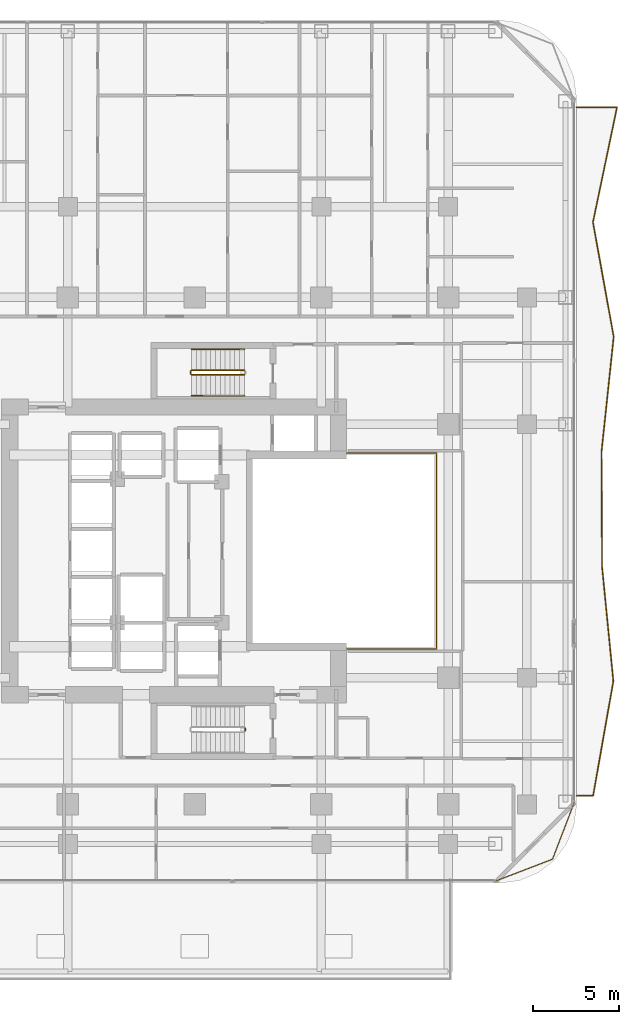
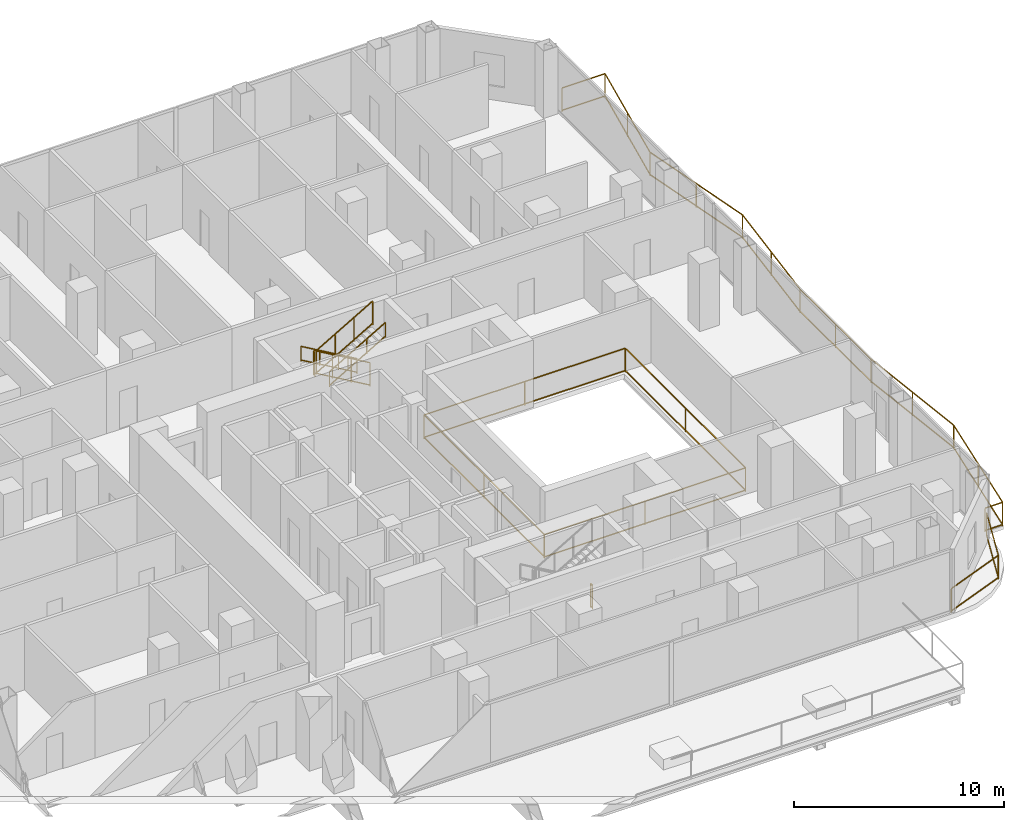
# One storey, part 27 of 29: 9 railings.
"""IFC4 building model written with IfcOpenShell, lengths in metres."""

from ifc_helpers import new_model, si_unit, direction, frame, origin, origin_2d, place, context, subcontext, project, spatial, rectangle, extrude, material, type_object, element, save


model = new_model("IFC4")

# Units and contexts
model_context = context("Model", 3, precision=1e-05, world=origin(), true_north=direction((0.0, 1.0)))
body_context = subcontext(model_context, "Body", "Model", "MODEL_VIEW")
ifc_project = project(units=[si_unit("LENGTHUNIT", "METRE"), si_unit("AREAUNIT", "SQUARE_METRE"), si_unit("VOLUMEUNIT", "CUBIC_METRE"), si_unit("PLANEANGLEUNIT", "RADIAN"), si_unit("MASSUNIT", "GRAM", prefix="KILO")], contexts=[model_context])

# Site, building, storey
site_placement = place(None, origin())
site = spatial("IfcSite", under=ifc_project, at=site_placement, CompositionType="ELEMENT")
building_placement = place(site_placement, origin())
building = spatial("IfcBuilding", under=site, at=building_placement, Name="Khorvyn Point Tower", CompositionType="ELEMENT")
storey_placement = place(building_placement, frame((0.0, 0.0, 85.199951171875)))
storey = spatial("IfcBuildingStorey", under=building, at=storey_placement, Name="L21", CompositionType="ELEMENT", Elevation=85.199951171875)

# Railings
ifc_material_1 = material(Name="Stainless steel 1.4401 and laminated glass", Category="steel")
railing_type_1 = type_object("IfcRailingType", Name="Crystal Atrium Smoke-Rated Perimeter Guardrail 1400", PredefinedType="GUARDRAIL", material=ifc_material_1)
railing_1_placement = place(storey_placement, frame((3.080078125, -5.719970703125, 0.0)))
element("IfcRailing", 1, at=railing_1_placement, inside=storey, type_object=railing_type_1, Name="L21 Crystal Atrium Perimeter Guardrail", PredefinedType="GUARDRAIL", context=body_context, shape_type="SweptSolid", body=[
    extrude(rectangle(XDim=0.048095703125, YDim=0.048095703125, at=origin_2d()), frame((0.0, 0.0, 1.3759765625), z_axis=(1.0, 0.0, 0.0), x_axis=(0.0, 1.0, 0.0)), (0.0, 0.0, 1.0), 11.0400390625),
    extrude(rectangle(XDim=0.048095703125, YDim=0.048095703125, at=origin_2d()), frame((0.0, 0.0, 0.080078125), z_axis=(1.0, 0.0, 0.0), x_axis=(0.0, 1.0, 0.0)), (0.0, 0.0, 1.0), 11.0400390625),
    extrude(rectangle(XDim=0.048095703125, YDim=0.048095703125, at=origin_2d()), frame((11.0400390625, 0.0, 1.3759765625), z_axis=(0.0, 1.0, 0.0), x_axis=(-1.0, 0.0, 0.0)), (0.0, 0.0, 1.0), 11.43994140625),
    extrude(rectangle(XDim=0.048095703125, YDim=0.048095703125, at=origin_2d()), frame((11.0400390625, 0.0, 0.080078125), z_axis=(0.0, 1.0, 0.0), x_axis=(-1.0, 0.0, 0.0)), (0.0, 0.0, 1.0), 11.43994140625),
    extrude(rectangle(XDim=0.048095703125, YDim=0.048095703125, at=origin_2d()), frame((11.0400390625, 11.43994140625, 1.3759765625), z_axis=(-1.0, 0.0, 0.0), x_axis=(0.0, -1.0, 0.0)), (0.0, 0.0, 1.0), 11.0400390625),
    extrude(rectangle(XDim=0.048095703125, YDim=0.048095703125, at=origin_2d()), frame((11.0400390625, 11.43994140625, 0.080078125), z_axis=(-1.0, 0.0, 0.0), x_axis=(0.0, -1.0, 0.0)), (0.0, 0.0, 1.0), 11.0400390625),
    extrude(rectangle(XDim=0.048095703125, YDim=0.048095703125, at=origin_2d()), frame((0.0, 11.43994140625, 1.3759765625), z_axis=(0.0, -1.0, 0.0), x_axis=(1.0, 0.0, 0.0)), (0.0, 0.0, 1.0), 11.409912109375),
    extrude(rectangle(XDim=0.048095703125, YDim=0.048095703125, at=origin_2d()), frame((0.0, 11.43994140625, 0.080078125), z_axis=(0.0, -1.0, 0.0), x_axis=(1.0, 0.0, 0.0)), (0.0, 0.0, 1.0), 11.409912109375),
    extrude(rectangle(XDim=0.0419921875, YDim=0.0419921875, at=origin_2d()), origin(), (0.0, 0.0, 1.0), 1.351806640625),
    extrude(rectangle(XDim=0.0419921875, YDim=0.0419921875, at=origin_2d()), frame((5.52001953125, 0.0, 0.0)), (0.0, 0.0, 1.0), 1.351806640625),
    extrude(rectangle(XDim=0.0419921875, YDim=0.0419921875, at=origin_2d()), frame((11.0400390625, 0.0, 0.0)), (0.0, 0.0, 1.0), 1.351806640625),
    extrude(rectangle(XDim=0.0419921875, YDim=0.0419921875, at=origin_2d()), frame((11.0400390625, 5.719970703125, 0.0)), (0.0, 0.0, 1.0), 1.351806640625),
    extrude(rectangle(XDim=0.0419921875, YDim=0.0419921875, at=origin_2d()), frame((11.0400390625, 11.43994140625, 0.0)), (0.0, 0.0, 1.0), 1.351806640625),
    extrude(rectangle(XDim=0.0419921875, YDim=0.0419921875, at=origin_2d()), frame((5.52001953125, 11.43994140625, 0.0)), (0.0, 0.0, 1.0), 1.351806640625),
    extrude(rectangle(XDim=0.0419921875, YDim=0.0419921875, at=origin_2d()), frame((0.0, 11.43994140625, 0.0)), (0.0, 0.0, 1.0), 1.351806640625),
    extrude(rectangle(XDim=0.0419921875, YDim=0.0419921875, at=origin_2d()), frame((0.0, 5.73486328125, 0.0)), (0.0, 0.0, 1.0), 1.351806640625),
    extrude(rectangle(XDim=0.0419921875, YDim=0.0419921875, at=origin_2d()), frame((0.0, 0.030029296875, 0.0)), (0.0, 0.0, 1.0), 1.351806640625),
])
ifc_material_2 = material(Name="Anodised aluminium 6063-T6 and laminated safety glass", Category="aluminium")
railing_type_2 = type_object("IfcRailingType", Name="Laminated Glass and Aluminium Balcony Guardrail 1400", PredefinedType="BALUSTRADE", material=ifc_material_2)
railing_2_placement = place(storey_placement, frame((17.57080078125, -19.27392578125, 0.0)))
element("IfcRailing", 2, at=railing_2_placement, inside=storey, type_object=railing_type_2, Name="L21 Rounded Corner Edge Guardrail SE", PredefinedType="BALUSTRADE", context=body_context, shape_type="SweptSolid", body=[
    extrude(rectangle(XDim=0.048095703125, YDim=0.048095703125, at=origin_2d()), frame((0.0, 0.0, 1.3759765625), z_axis=(0.933583807283, 0.358359142172, 0.0), x_axis=(-0.358359142172, 0.933583807283, 0.0)), (0.0, 0.0, 1.0), 3.56298828125),
    extrude(rectangle(XDim=0.048095703125, YDim=0.048095703125, at=origin_2d()), frame((0.0, 0.0, 0.080078125), z_axis=(0.933583807283, 0.358359142172, 0.0), x_axis=(-0.358359142172, 0.933583807283, 0.0)), (0.0, 0.0, 1.0), 3.56298828125),
    extrude(rectangle(XDim=0.048095703125, YDim=0.048095703125, at=origin_2d()), frame((3.326416015625, 1.27685546875, 1.3759765625), z_axis=(0.358382067435, 0.933575007025, 0.0), x_axis=(-0.933575007025, 0.358382067435, 0.0)), (0.0, 0.0, 1.0), 3.562744140625),
    extrude(rectangle(XDim=0.048095703125, YDim=0.048095703125, at=origin_2d()), frame((3.326416015625, 1.27685546875, 0.080078125), z_axis=(0.358382067435, 0.933575007025, 0.0), x_axis=(-0.933575007025, 0.358382067435, 0.0)), (0.0, 0.0, 1.0), 3.562744140625),
    extrude(rectangle(XDim=0.0419921875, YDim=0.0419921875, at=origin_2d()), origin(), (0.0, 0.0, 1.0), 1.351806640625),
    extrude(rectangle(XDim=0.0419921875, YDim=0.0419921875, at=origin_2d()), frame((3.326416015625, 1.27685546875, 0.0)), (0.0, 0.0, 1.0), 1.351806640625),
    extrude(rectangle(XDim=0.0419921875, YDim=0.0419921875, at=origin_2d()), frame((4.603271484375, 4.60302734375, 0.0)), (0.0, 0.0, 1.0), 1.351806640625),
])
railing_3_placement = place(storey_placement, frame((22.300048828125, -14.300048828125, 0.0)))
element("IfcRailing", 3, at=railing_3_placement, inside=storey, type_object=railing_type_2, Name="L21 East Balcony Guardrail", PredefinedType="BALUSTRADE", context=body_context, shape_type="SweptSolid", body=[
    extrude(rectangle(XDim=0.048095703125, YDim=0.048095703125, at=origin_2d()), frame((0.0, 0.0, 1.3759765625), z_axis=(1.0, 0.0, 0.0), x_axis=(0.0, 1.0, 0.0)), (0.0, 0.0, 1.0), 0.968017578125),
    extrude(rectangle(XDim=0.048095703125, YDim=0.048095703125, at=origin_2d()), frame((0.0, 0.0, 0.080078125), z_axis=(1.0, 0.0, 0.0), x_axis=(0.0, 1.0, 0.0)), (0.0, 0.0, 1.0), 0.968017578125),
    extrude(rectangle(XDim=0.048095703125, YDim=0.048095703125, at=origin_2d()), frame((0.968017578125, 0.0, 1.3759765625), z_axis=(0.173685022658, 0.984801255536, 0.0), x_axis=(-0.984801255536, 0.173685022658, 0.0)), (0.0, 0.0, 1.0), 6.803466796875),
    extrude(rectangle(XDim=0.048095703125, YDim=0.048095703125, at=origin_2d()), frame((0.968017578125, 0.0, 0.080078125), z_axis=(0.173685022658, 0.984801255536, 0.0), x_axis=(-0.984801255536, 0.173685022658, 0.0)), (0.0, 0.0, 1.0), 6.803466796875),
    extrude(rectangle(XDim=0.048095703125, YDim=0.048095703125, at=origin_2d()), frame((2.149658203125, 6.699951171875, 1.3759765625), z_axis=(-0.098232686566, 0.995163473651, 0.0), x_axis=(-0.995163473651, -0.098232686566, 0.0)), (0.0, 0.0, 1.0), 6.732666015625),
    extrude(rectangle(XDim=0.048095703125, YDim=0.048095703125, at=origin_2d()), frame((2.149658203125, 6.699951171875, 0.080078125), z_axis=(-0.098232686566, 0.995163473651, 0.0), x_axis=(-0.995163473651, -0.098232686566, 0.0)), (0.0, 0.0, 1.0), 6.732666015625),
    extrude(rectangle(XDim=0.048095703125, YDim=0.048095703125, at=origin_2d()), frame((1.48828125, 13.400146484375, 1.3759765625), z_axis=(-0.004117590718, 0.999991522687, 0.0), x_axis=(-0.999991522687, -0.004117590718, 0.0)), (0.0, 0.0, 1.0), 6.699951171875),
    extrude(rectangle(XDim=0.048095703125, YDim=0.048095703125, at=origin_2d()), frame((1.48828125, 13.400146484375, 0.080078125), z_axis=(-0.004117590718, 0.999991522687, 0.0), x_axis=(-0.999991522687, -0.004117590718, 0.0)), (0.0, 0.0, 1.0), 6.699951171875),
    extrude(rectangle(XDim=0.048095703125, YDim=0.048095703125, at=origin_2d()), frame((1.460693359375, 20.10009765625, 1.3759765625), z_axis=(0.105303466428, 0.994440133924, 0.0), x_axis=(-0.994440133924, 0.105303466428, 0.0)), (0.0, 0.0, 1.0), 6.7373046875),
    extrude(rectangle(XDim=0.048095703125, YDim=0.048095703125, at=origin_2d()), frame((1.460693359375, 20.10009765625, 0.080078125), z_axis=(0.105303466428, 0.994440133924, 0.0), x_axis=(-0.994440133924, 0.105303466428, 0.0)), (0.0, 0.0, 1.0), 6.7373046875),
    extrude(rectangle(XDim=0.048095703125, YDim=0.048095703125, at=origin_2d()), frame((2.170166015625, 26.800048828125, 1.3759765625), z_axis=(-0.177787191448, 0.984068958233, 0.0), x_axis=(-0.984068958233, -0.177787191448, 0.0)), (0.0, 0.0, 1.0), 6.808349609375),
    extrude(rectangle(XDim=0.048095703125, YDim=0.048095703125, at=origin_2d()), frame((2.170166015625, 26.800048828125, 0.080078125), z_axis=(-0.177787191448, 0.984068958233, 0.0), x_axis=(-0.984068958233, -0.177787191448, 0.0)), (0.0, 0.0, 1.0), 6.808349609375),
    extrude(rectangle(XDim=0.048095703125, YDim=0.048095703125, at=origin_2d()), frame((0.959716796875, 33.5, 1.3759765625), z_axis=(0.204935464509, 0.978775487733, 0.0), x_axis=(-0.978775487733, 0.204935464509, 0.0)), (0.0, 0.0, 1.0), 6.84521484375),
    extrude(rectangle(XDim=0.048095703125, YDim=0.048095703125, at=origin_2d()), frame((0.959716796875, 33.5, 0.080078125), z_axis=(0.204935464509, 0.978775487733, 0.0), x_axis=(-0.978775487733, 0.204935464509, 0.0)), (0.0, 0.0, 1.0), 6.84521484375),
    extrude(rectangle(XDim=0.048095703125, YDim=0.048095703125, at=origin_2d()), frame((2.362548828125, 40.199951171875, 1.3759765625), z_axis=(-1.0, 0.0, 0.0), x_axis=(0.0, -1.0, 0.0)), (0.0, 0.0, 1.0), 2.362548828125),
    extrude(rectangle(XDim=0.048095703125, YDim=0.048095703125, at=origin_2d()), frame((2.362548828125, 40.199951171875, 0.080078125), z_axis=(-1.0, 0.0, 0.0), x_axis=(0.0, -1.0, 0.0)), (0.0, 0.0, 1.0), 2.362548828125),
    extrude(rectangle(XDim=0.0419921875, YDim=0.0419921875, at=origin_2d()), origin(), (0.0, 0.0, 1.0), 1.351806640625),
    extrude(rectangle(XDim=0.0419921875, YDim=0.0419921875, at=origin_2d()), frame((0.968017578125, 0.0, 0.0)), (0.0, 0.0, 1.0), 1.351806640625),
    extrude(rectangle(XDim=0.0419921875, YDim=0.0419921875, at=origin_2d()), frame((1.558837890625, 3.35009765625, 0.0)), (0.0, 0.0, 1.0), 1.351806640625),
    extrude(rectangle(XDim=0.0419921875, YDim=0.0419921875, at=origin_2d()), frame((2.149658203125, 6.699951171875, 0.0)), (0.0, 0.0, 1.0), 1.351806640625),
    extrude(rectangle(XDim=0.0419921875, YDim=0.0419921875, at=origin_2d()), frame((1.81884765625, 10.050048828125, 0.0)), (0.0, 0.0, 1.0), 1.351806640625),
    extrude(rectangle(XDim=0.0419921875, YDim=0.0419921875, at=origin_2d()), frame((1.48828125, 13.400146484375, 0.0)), (0.0, 0.0, 1.0), 1.351806640625),
    extrude(rectangle(XDim=0.0419921875, YDim=0.0419921875, at=origin_2d()), frame((1.474609375, 16.75, 0.0)), (0.0, 0.0, 1.0), 1.351806640625),
    extrude(rectangle(XDim=0.0419921875, YDim=0.0419921875, at=origin_2d()), frame((1.460693359375, 20.10009765625, 0.0)), (0.0, 0.0, 1.0), 1.351806640625),
    extrude(rectangle(XDim=0.0419921875, YDim=0.0419921875, at=origin_2d()), frame((1.8154296875, 23.4501953125, 0.0)), (0.0, 0.0, 1.0), 1.351806640625),
    extrude(rectangle(XDim=0.0419921875, YDim=0.0419921875, at=origin_2d()), frame((2.170166015625, 26.800048828125, 0.0)), (0.0, 0.0, 1.0), 1.351806640625),
    extrude(rectangle(XDim=0.0419921875, YDim=0.0419921875, at=origin_2d()), frame((1.56494140625, 30.14990234375, 0.0)), (0.0, 0.0, 1.0), 1.351806640625),
    extrude(rectangle(XDim=0.0419921875, YDim=0.0419921875, at=origin_2d()), frame((0.959716796875, 33.5, 0.0)), (0.0, 0.0, 1.0), 1.351806640625),
    extrude(rectangle(XDim=0.0419921875, YDim=0.0419921875, at=origin_2d()), frame((1.6611328125, 36.85009765625, 0.0)), (0.0, 0.0, 1.0), 1.351806640625),
    extrude(rectangle(XDim=0.0419921875, YDim=0.0419921875, at=origin_2d()), frame((2.362548828125, 40.199951171875, 0.0)), (0.0, 0.0, 1.0), 1.351806640625),
    extrude(rectangle(XDim=0.0419921875, YDim=0.0419921875, at=origin_2d()), frame((0.0, 40.199951171875, 0.0)), (0.0, 0.0, 1.0), 1.351806640625),
])
ifc_material_3 = material(Name="Stainless steel 1.4301", Category="steel")
railing_type_3 = type_object("IfcRailingType", Name="Stainless Steel 304 Stair Pitch Handrail 900", PredefinedType="HANDRAIL", material=ifc_material_3)
railing_4_placement = place(storey_placement, frame((2.89990234375, 11.77001953125, 0.16259765625)))
element("IfcRailing", 4, at=railing_4_placement, inside=storey, type_object=railing_type_3, Name="L21 ST-02 stair handrail 1", PredefinedType="HANDRAIL", context=body_context, shape_type="SweptSolid", body=[
    extrude(rectangle(XDim=0.048095703125, YDim=0.048095703125, at=origin_2d()), frame((0.0, 0.0, 0.8759765625), z_axis=(-0.864903211148, 0.0, 0.501938676878), x_axis=(0.0, -1.0, 0.0)), (0.0, 0.0, 1.0), 3.560791015625),
    extrude(rectangle(XDim=0.048095703125, YDim=0.048095703125, at=origin_2d()), frame((0.0, 0.0, 0.080078125), z_axis=(-0.864903211148, 0.0, 0.501938676878), x_axis=(0.0, -1.0, 0.0)), (0.0, 0.0, 1.0), 3.560791015625),
    extrude(rectangle(XDim=0.0419921875, YDim=0.0419921875, at=origin_2d()), origin(), (0.0, 0.0, 1.0), 0.851806640625),
    extrude(rectangle(XDim=0.0419921875, YDim=0.0419921875, at=origin_2d()), frame((-1.026611328125, 0.0, 0.595703125)), (0.0, 0.0, 1.0), 0.851806640625),
    extrude(rectangle(XDim=0.0419921875, YDim=0.0419921875, at=origin_2d()), frame((-2.05322265625, 0.0, 1.191650390625)), (0.0, 0.0, 1.0), 0.851806640625),
    extrude(rectangle(XDim=0.0419921875, YDim=0.0419921875, at=origin_2d()), frame((-3.079833984375, 0.0, 1.787353515625)), (0.0, 0.0, 1.0), 0.851806640625),
])
railing_5_placement = place(storey_placement, frame((-0.179931640625, 9.070068359375, 2.112548828125)))
element("IfcRailing", 5, at=railing_5_placement, inside=storey, type_object=railing_type_3, Name="L21 ST-02 stair handrail 2", PredefinedType="HANDRAIL", context=body_context, shape_type="SweptSolid", body=[
    extrude(rectangle(XDim=0.048095703125, YDim=0.048095703125, at=origin_2d()), frame((0.0, 0.0, 0.8759765625), z_axis=(0.864873446163, 0.0, 0.501989962173), x_axis=(0.0, 1.0, 0.0)), (0.0, 0.0, 1.0), 3.56103515625),
    extrude(rectangle(XDim=0.048095703125, YDim=0.048095703125, at=origin_2d()), frame((0.0, 0.0, 0.080078125), z_axis=(0.864873446163, 0.0, 0.501989962173), x_axis=(0.0, 1.0, 0.0)), (0.0, 0.0, 1.0), 3.56103515625),
    extrude(rectangle(XDim=0.0419921875, YDim=0.0419921875, at=origin_2d()), origin(), (0.0, 0.0, 1.0), 0.851806640625),
    extrude(rectangle(XDim=0.0419921875, YDim=0.0419921875, at=origin_2d()), frame((1.026611328125, 0.0, 0.595947265625)), (0.0, 0.0, 1.0), 0.851806640625),
    extrude(rectangle(XDim=0.0419921875, YDim=0.0419921875, at=origin_2d()), frame((2.05322265625, 0.0, 1.191650390625)), (0.0, 0.0, 1.0), 0.851806640625),
    extrude(rectangle(XDim=0.0419921875, YDim=0.0419921875, at=origin_2d()), frame((3.079833984375, 0.0, 1.78759765625)), (0.0, 0.0, 1.0), 0.851806640625),
])
railing_type_4 = type_object("IfcRailingType", Name="Stainless Steel 304 Stair Well Guardrail 1400", PredefinedType="GUARDRAIL", material=ifc_material_3)
railing_6_placement = place(storey_placement, frame((2.949951171875, -10.340087890625, 0.0)))
element("IfcRailing", 6, at=railing_6_placement, inside=storey, type_object=railing_type_4, Name="L21 ST-01 stair guard 4", PredefinedType="GUARDRAIL", context=body_context, shape_type="SweptSolid", body=[
    extrude(rectangle(XDim=0.048095703125, YDim=0.048095703125, at=origin_2d()), frame((0.0, 0.0, 1.3759765625), z_axis=(0.0, -1.0, 0.0), x_axis=(1.0, 0.0, 0.0)), (0.0, 0.0, 1.0), 0.159912109375),
    extrude(rectangle(XDim=0.048095703125, YDim=0.048095703125, at=origin_2d()), frame((0.0, 0.0, 0.080078125), z_axis=(0.0, -1.0, 0.0), x_axis=(1.0, 0.0, 0.0)), (0.0, 0.0, 1.0), 0.159912109375),
    extrude(rectangle(XDim=0.0419921875, YDim=0.0419921875, at=origin_2d()), origin(), (0.0, 0.0, 1.0), 1.351806640625),
    extrude(rectangle(XDim=0.0419921875, YDim=0.0419921875, at=origin_2d()), frame((0.0, -0.159912109375, 0.0)), (0.0, 0.0, 1.0), 1.351806640625),
])
railing_7_placement = place(storey_placement, frame((2.89990234375, 10.550048828125, 0.16259765625)))
element("IfcRailing", 7, at=railing_7_placement, inside=storey, type_object=railing_type_4, Name="L21 ST-02 stair guard 1", PredefinedType="GUARDRAIL", context=body_context, shape_type="SweptSolid", body=[
    extrude(rectangle(XDim=0.048095703125, YDim=0.048095703125, at=origin_2d()), frame((0.0, 0.0, 1.3759765625), z_axis=(-0.864903211148, 0.0, 0.501938676878), x_axis=(0.0, -1.0, 0.0)), (0.0, 0.0, 1.0), 3.560791015625),
    extrude(rectangle(XDim=0.048095703125, YDim=0.048095703125, at=origin_2d()), frame((0.0, 0.0, 0.080078125), z_axis=(-0.864903211148, 0.0, 0.501938676878), x_axis=(0.0, -1.0, 0.0)), (0.0, 0.0, 1.0), 3.560791015625),
    extrude(rectangle(XDim=0.0419921875, YDim=0.0419921875, at=origin_2d()), origin(), (0.0, 0.0, 1.0), 1.351806640625),
    extrude(rectangle(XDim=0.0419921875, YDim=0.0419921875, at=origin_2d()), frame((-1.026611328125, 0.0, 0.595703125)), (0.0, 0.0, 1.0), 1.351806640625),
    extrude(rectangle(XDim=0.0419921875, YDim=0.0419921875, at=origin_2d()), frame((-2.05322265625, 0.0, 1.191650390625)), (0.0, 0.0, 1.0), 1.351806640625),
    extrude(rectangle(XDim=0.0419921875, YDim=0.0419921875, at=origin_2d()), frame((-3.079833984375, 0.0, 1.787353515625)), (0.0, 0.0, 1.0), 1.351806640625),
])
railing_8_placement = place(storey_placement, frame((-0.22998046875, 10.5, 1.949951171875)))
element("IfcRailing", 8, at=railing_8_placement, inside=storey, type_object=railing_type_4, Name="L21 ST-02 stair guard 2", PredefinedType="GUARDRAIL", context=body_context, shape_type="SweptSolid", body=[
    extrude(rectangle(XDim=0.048095703125, YDim=0.048095703125, at=origin_2d()), frame((0.0, 0.0, 1.3759765625), z_axis=(0.0, -1.0, 0.0), x_axis=(1.0, 0.0, 0.0)), (0.0, 0.0, 1.0), 0.159912109375),
    extrude(rectangle(XDim=0.048095703125, YDim=0.048095703125, at=origin_2d()), frame((0.0, 0.0, 0.080078125), z_axis=(0.0, -1.0, 0.0), x_axis=(1.0, 0.0, 0.0)), (0.0, 0.0, 1.0), 0.159912109375),
    extrude(rectangle(XDim=0.0419921875, YDim=0.0419921875, at=origin_2d()), origin(), (0.0, 0.0, 1.0), 1.351806640625),
    extrude(rectangle(XDim=0.0419921875, YDim=0.0419921875, at=origin_2d()), frame((0.0, -0.159912109375, 0.0)), (0.0, 0.0, 1.0), 1.351806640625),
])
railing_9_placement = place(storey_placement, frame((-0.179931640625, 10.2900390625, 2.112548828125)))
element("IfcRailing", 9, at=railing_9_placement, inside=storey, type_object=railing_type_4, Name="L21 ST-02 stair guard 3", PredefinedType="GUARDRAIL", context=body_context, shape_type="SweptSolid", body=[
    extrude(rectangle(XDim=0.048095703125, YDim=0.048095703125, at=origin_2d()), frame((0.0, 0.0, 1.3759765625), z_axis=(0.864873446163, 0.0, 0.501989962173), x_axis=(0.0, 1.0, 0.0)), (0.0, 0.0, 1.0), 3.56103515625),
    extrude(rectangle(XDim=0.048095703125, YDim=0.048095703125, at=origin_2d()), frame((0.0, 0.0, 0.080078125), z_axis=(0.864873446163, 0.0, 0.501989962173), x_axis=(0.0, 1.0, 0.0)), (0.0, 0.0, 1.0), 3.56103515625),
    extrude(rectangle(XDim=0.0419921875, YDim=0.0419921875, at=origin_2d()), origin(), (0.0, 0.0, 1.0), 1.351806640625),
    extrude(rectangle(XDim=0.0419921875, YDim=0.0419921875, at=origin_2d()), frame((1.026611328125, 0.0, 0.595947265625)), (0.0, 0.0, 1.0), 1.351806640625),
    extrude(rectangle(XDim=0.0419921875, YDim=0.0419921875, at=origin_2d()), frame((2.05322265625, 0.0, 1.191650390625)), (0.0, 0.0, 1.0), 1.351806640625),
    extrude(rectangle(XDim=0.0419921875, YDim=0.0419921875, at=origin_2d()), frame((3.079833984375, 0.0, 1.78759765625)), (0.0, 0.0, 1.0), 1.351806640625),
])

save(model, "model.ifc")
